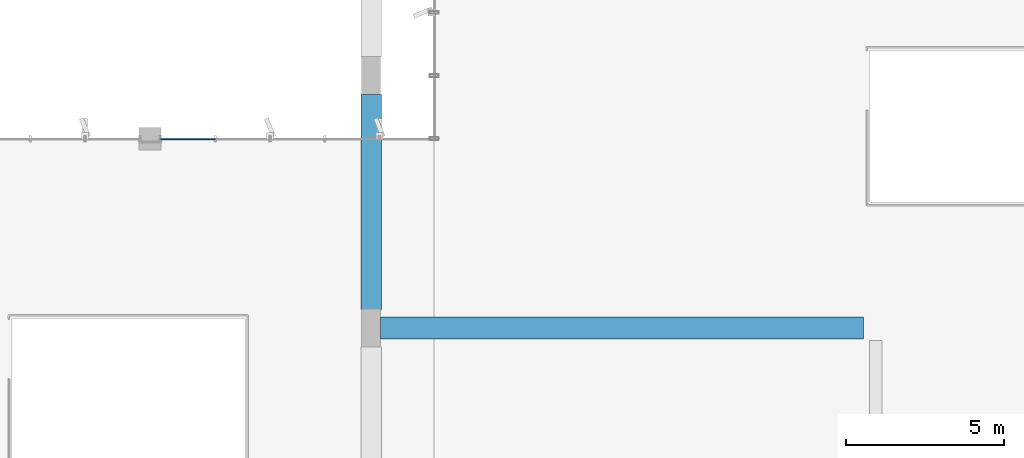
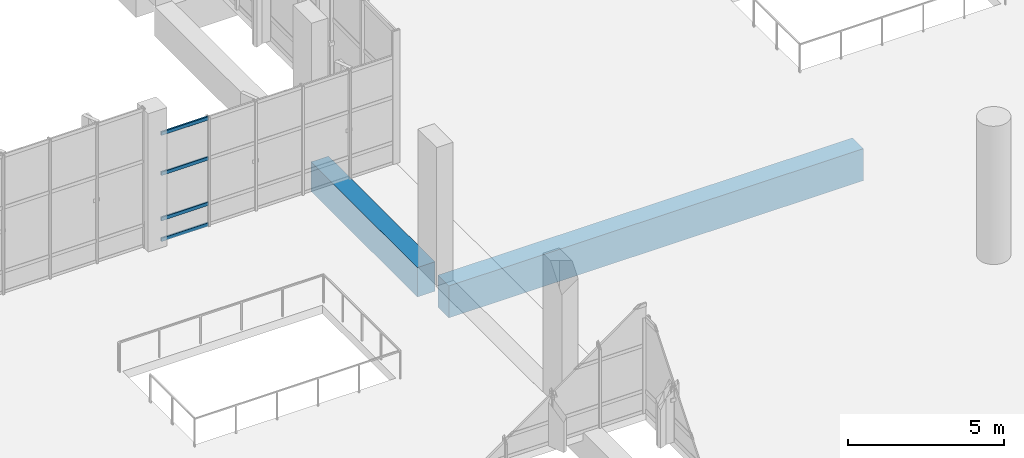
# One storey, part 45 of 176: 4 members, 2 beams, 1 element without a shape of its own.
"""IFC4 building model written with IfcOpenShell, lengths in metres."""

from ifc_helpers import new_model, si_unit, direction, frame, origin, origin_2d, place, context, subcontext, project, spatial, rectangle, hollow_rectangle, extrude, material, layer, layer_set, material_profile, profile_set, type_object, element, aggregate, save


model = new_model("IFC4")

# Units and contexts
model_context = context("Model", 3, precision=1e-05, world=origin(), true_north=direction((0.0, 1.0)))
body_context = subcontext(model_context, "Body", "Model", "MODEL_VIEW")
ifc_project = project(units=[si_unit("LENGTHUNIT", "METRE"), si_unit("AREAUNIT", "SQUARE_METRE"), si_unit("VOLUMEUNIT", "CUBIC_METRE"), si_unit("PLANEANGLEUNIT", "RADIAN"), si_unit("MASSUNIT", "GRAM", prefix="KILO")], contexts=[model_context])

# Site, building, storey
site_placement = place(None, origin())
site = spatial("IfcSite", under=ifc_project, at=site_placement, CompositionType="ELEMENT")
building_placement = place(site_placement, origin())
building = spatial("IfcBuilding", under=site, at=building_placement, Name="Khorjan Park Terminus", CompositionType="ELEMENT")
storey_placement = place(building_placement, frame((0.0, 0.0, 6.0)))
storey = spatial("IfcBuildingStorey", under=building, at=storey_placement, Name="L01", CompositionType="ELEMENT", Elevation=6.0)

# Beams
ifc_material_1 = material(Name="Concrete C40/50", Category="concrete")
ifc_material_profile_1 = material_profile(ifc_material_1, rectangle(XDim=0.7, YDim=1.25, at=origin_2d()), Name="RC 700x1250")
ifc_profile_set_1 = profile_set([ifc_material_profile_1], Name="Concrete C40/50")
beam_type_1 = type_object("IfcBeamType", Name="BM-RC700x1250", PredefinedType="BEAM", material=ifc_profile_set_1)
beam_1_placement = place(storey_placement, frame((48.295, 60.0, -0.985), z_axis=(1.0, 0.0, 0.0), x_axis=(0.0, 1.0, 0.0)))
element("IfcBeam", 1, at=beam_1_placement, inside=storey, type_object=beam_type_1, Name="Primary floor girder GB-125 (L01)", PredefinedType="BEAM", context=body_context, shape_type="SweptSolid", body=[
    extrude(rectangle(XDim=0.7, YDim=1.25, at=origin_2d()), origin(), (0.0, 0.0, 1.0), 15.31),
])
ifc_material_2 = material(Name="Concrete C50/60", Category="concrete")
ifc_material_profile_2 = material_profile(ifc_material_2, rectangle(XDim=0.65, YDim=1.15, at=origin_2d()), Name="RC 650x1150")
ifc_profile_set_2 = profile_set([ifc_material_profile_2], Name="Concrete C50/60")
beam_type_2 = type_object("IfcBeamType", Name="SP-RC650x1150", PredefinedType="SPANDREL", material=ifc_profile_set_2)
beam_2_placement = place(storey_placement, frame((48.0, 60.595, -0.575), z_axis=(0.0, 1.0, 0.0), x_axis=(-1.0, 0.0, 0.0)))
element("IfcBeam", 2, at=beam_2_placement, inside=storey, type_object=beam_type_2, Name="Concourse lower colonnade ring beam SP-11 (L01-31)", PredefinedType="SPANDREL", context=body_context, shape_type="SweptSolid", body=[
    extrude(rectangle(XDim=0.65, YDim=1.15, at=origin_2d()), origin(), (0.0, 0.0, 1.0), 6.81),
])

# Curtain wall, members
ifc_material_3 = material(Name="Anodized Bronze Aluminium", Category="aluminium")
ifc_layer = layer(ifc_material_3, 0.22)
ifc_layer_set = layer_set([ifc_layer], Name="Anodized Bronze Aluminium")
curtain_wall_type = type_object("IfcCurtainWallType", Name="CW-PAV-C", PredefinedType="NOTDEFINED", material=ifc_layer_set)
curtain_wall_placement = place(storey_placement, origin())
curtain_wall = element("IfcCurtainWall", 3, at=curtain_wall_placement, inside=storey, type_object=curtain_wall_type, Name="Unitized curtain wall CW-C (CW-V4L-N-L01-3)", PredefinedType="NOTDEFINED")
ifc_material_profile_3 = material_profile(ifc_material_3, hollow_rectangle(XDim=0.065, YDim=0.14, WallThickness=0.004, InnerFilletRadius=0.004, OuterFilletRadius=0.008, at=origin_2d()), Name="ALT 65x140x4")
ifc_profile_set_3 = profile_set([ifc_material_profile_3], Name="Anodized Bronze Aluminium")
member_type = type_object("IfcMemberType", Name="TR-ALT-140", PredefinedType="USERDEFINED", material=ifc_profile_set_3)
member_1_placement = place(storey_placement, frame((43.064, 66.0, 0.04), z_axis=(-1.0, 0.0, 0.0), x_axis=(0.0, -1.0, 0.0)))
member_1 = element("IfcMember", 4, at=member_1_placement, type_object=member_type, Name="Curtain-wall transom TR-14 (CW-V4L-N-L01-3-4-1)", ObjectType="TRANSOM", PredefinedType="USERDEFINED", context=body_context, shape_type="SweptSolid", body=[
    extrude(hollow_rectangle(XDim=0.065, YDim=0.14, WallThickness=0.004, InnerFilletRadius=0.004, OuterFilletRadius=0.008, at=origin_2d()), origin(), (0.0, 0.0, 1.0), 1.734),
])
member_2_placement = place(storey_placement, frame((43.064, 66.0, 0.85), z_axis=(-1.0, 0.0, 0.0), x_axis=(0.0, -1.0, 0.0)))
member_2 = element("IfcMember", 5, at=member_2_placement, type_object=member_type, Name="Curtain-wall transom TR-14 (CW-V4L-N-L01-3-4-2)", ObjectType="TRANSOM", PredefinedType="USERDEFINED", context=body_context, shape_type="SweptSolid", body=[
    extrude(hollow_rectangle(XDim=0.065, YDim=0.14, WallThickness=0.004, InnerFilletRadius=0.004, OuterFilletRadius=0.008, at=origin_2d()), origin(), (0.0, 0.0, 1.0), 1.734),
])
member_3_placement = place(storey_placement, frame((43.064, 66.0, 2.6195), z_axis=(-1.0, 0.0, 0.0), x_axis=(0.0, -1.0, 0.0)))
member_3 = element("IfcMember", 6, at=member_3_placement, type_object=member_type, Name="Curtain-wall transom TR-14 (CW-V4L-N-L01-3-4-3)", ObjectType="TRANSOM", PredefinedType="USERDEFINED", context=body_context, shape_type="SweptSolid", body=[
    extrude(hollow_rectangle(XDim=0.065, YDim=0.14, WallThickness=0.004, InnerFilletRadius=0.004, OuterFilletRadius=0.008, at=origin_2d()), origin(), (0.0, 0.0, 1.0), 1.734),
])
member_4_placement = place(storey_placement, frame((43.064, 66.0, 4.185), z_axis=(-1.0, 0.0, 0.0), x_axis=(0.0, -1.0, 0.0)))
member_4 = element("IfcMember", 7, at=member_4_placement, type_object=member_type, Name="Curtain-wall transom TR-14 (CW-V4L-N-L01-3-4-4)", ObjectType="TRANSOM", PredefinedType="USERDEFINED", context=body_context, shape_type="SweptSolid", body=[
    extrude(hollow_rectangle(XDim=0.065, YDim=0.14, WallThickness=0.004, InnerFilletRadius=0.004, OuterFilletRadius=0.008, at=origin_2d()), origin(), (0.0, 0.0, 1.0), 1.734),
])
aggregate(curtain_wall, [member_1, member_2, member_3, member_4])

save(model, "model.ifc")
